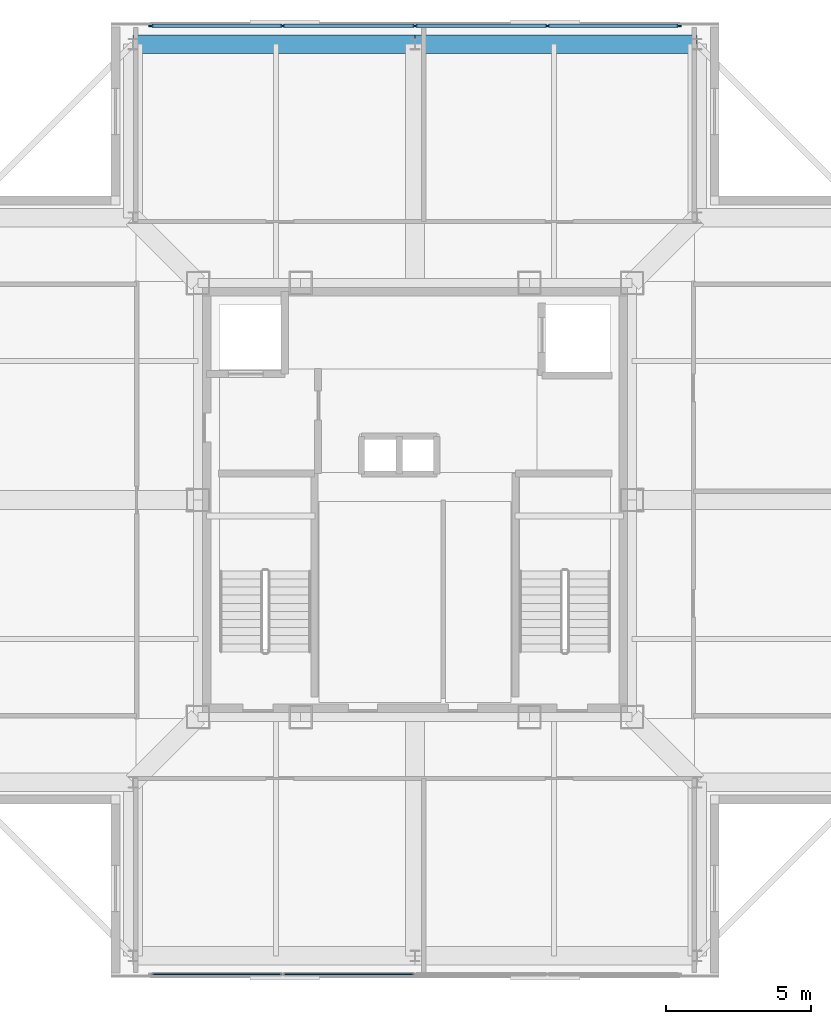
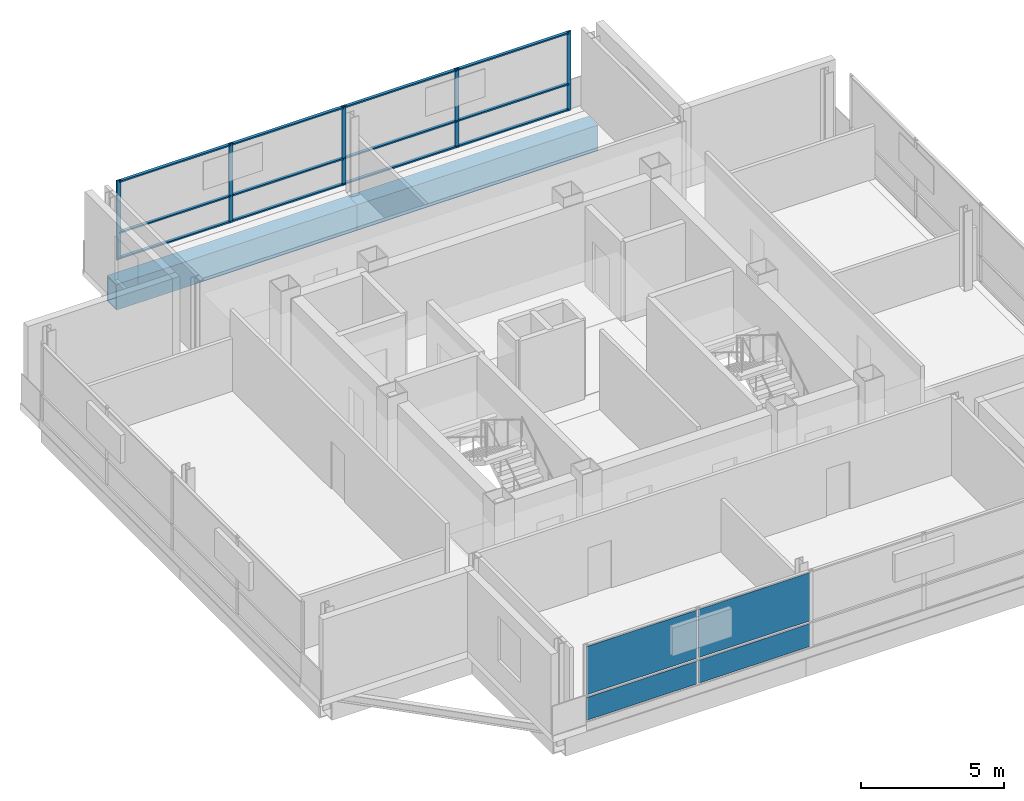
# One storey, part 6 of 11: 17 members, 4 plates, 2 beams, 2 elements without a shape of their own.
"""IFC4 building model written with IfcOpenShell, lengths in metres."""

from ifc_helpers import new_model, si_unit, direction, frame, origin, origin_2d, place, context, subcontext, project, spatial, rectangle, hollow_rectangle, extrude, material, layer, layer_set, material_profile, profile_set, type_object, element, aggregate, save


model = new_model("IFC4")

# Units and contexts
model_context = context("Model", 3, precision=1e-05, world=origin(), true_north=direction((0.0, 1.0)))
body_context = subcontext(model_context, "Body", "Model", "MODEL_VIEW")
ifc_project = project(units=[si_unit("LENGTHUNIT", "METRE"), si_unit("AREAUNIT", "SQUARE_METRE"), si_unit("VOLUMEUNIT", "CUBIC_METRE"), si_unit("PLANEANGLEUNIT", "RADIAN"), si_unit("MASSUNIT", "GRAM", prefix="KILO")], contexts=[model_context])

# Site, building, storey
site_placement = place(None, origin())
site = spatial("IfcSite", under=ifc_project, at=site_placement, CompositionType="ELEMENT")
building_placement = place(site_placement, origin())
building = spatial("IfcBuilding", under=site, at=building_placement, Name="Trevonay Congress Spire", CompositionType="ELEMENT")
storey_placement = place(building_placement, frame((0.0, 0.0, 312.199951171875)))
storey = spatial("IfcBuildingStorey", under=building, at=storey_placement, Name="L82", CompositionType="ELEMENT", Elevation=312.199951171875)

# Beams
ifc_material_1 = material(Name="Steel ASTM A572 Grade 50", Category="steel")
ifc_material_profile_1 = material_profile(ifc_material_1, hollow_rectangle(XDim=0.64990234375, YDim=1.10009765625, WallThickness=0.044921875, at=origin_2d()), Name="BOX 1100x650x45")
ifc_profile_set_1 = profile_set([ifc_material_profile_1], Name="Steel ASTM A572 Grade 50")
beam_type = type_object("IfcBeamType", Name="BM-RING-BOX1100", PredefinedType="BEAM", material=ifc_profile_set_1)
for number, where, z_axis, x_axis, name in (
    (1, (-9.75, 15.75, -0.829833984375), (1.0, 0.0, 0.0), (0.0, 1.0, 0.0), "L82 structural beam BM-L82-PN1"),
    (2, (0.0, 15.75, -0.829833984375), (1.0, 0.0, 0.0), (0.0, 1.0, 0.0), "L82 structural beam BM-L82-PN2"),
):
    element("IfcBeam", number, at=place(storey_placement, frame(where, z_axis=z_axis, x_axis=x_axis)), inside=storey, type_object=beam_type, Name=name, PredefinedType="BEAM", context=body_context, shape_type="SweptSolid", body=[
        extrude(hollow_rectangle(XDim=0.64990234375, YDim=1.10009765625, WallThickness=0.044921875, at=origin_2d()), origin(), (0.0, 0.0, 1.0), 9.75),
    ])

# Curtain wall, members
ifc_material_2 = material(Name="Pale Anodised Aluminium EN AW-6063-T6", Category="aluminium")
ifc_layer_1 = layer(ifc_material_2, 0.159912109375, Name="Pale Anodised Aluminium EN AW-6063-T6")
ifc_layer_set_1 = layer_set([ifc_layer_1], Name="Pale Anodised Aluminium EN AW-6063-T6")
curtain_wall_type = type_object("IfcCurtainWallType", Name="CW-SYS06-CROWN-PALE-METAL", PredefinedType="NOTDEFINED", material=ifc_layer_set_1)
curtain_wall_1_placement = place(storey_placement, origin())
curtain_wall_1 = element("IfcCurtainWall", 3, at=curtain_wall_1_placement, inside=storey, type_object=curtain_wall_type, Name="L82 N unitised curtain wall", PredefinedType="NOTDEFINED")
ifc_material_profile_2 = material_profile(ifc_material_2, rectangle(XDim=0.06005859375, YDim=0.159912109375, at=origin_2d()), Name="CW-MULLION-160-ALUMINIUM")
ifc_profile_set_2 = profile_set([ifc_material_profile_2], Name="Pale Anodised Aluminium EN AW-6063-T6")
member_type_1 = type_object("IfcMemberType", Name="CW-MULLION-160-ALUMINIUM", PredefinedType="MULLION", material=ifc_profile_set_2)
member_1_placement = place(storey_placement, frame((-9.1201171875, 16.3798828125, 0.0), z_axis=(0.0, 0.0, 1.0), x_axis=(0.0, 1.0, 0.0)))
member_1 = element("IfcMember", 4, at=member_1_placement, type_object=member_type_1, Name="CW06 mullion 1", PredefinedType="MULLION", context=body_context, shape_type="SweptSolid", body=[
    extrude(rectangle(XDim=0.06005859375, YDim=0.159912109375, at=origin_2d()), origin(), (0.0, 0.0, 1.0), 3.400146484375),
])
member_2_placement = place(storey_placement, frame((-4.574951171875, 16.3798828125, 0.0), z_axis=(0.0, 0.0, 1.0), x_axis=(0.0, 1.0, 0.0)))
member_2 = element("IfcMember", 5, at=member_2_placement, type_object=member_type_1, Name="CW06 mullion 2", PredefinedType="MULLION", context=body_context, shape_type="SweptSolid", body=[
    extrude(rectangle(XDim=0.06005859375, YDim=0.159912109375, at=origin_2d()), origin(), (0.0, 0.0, 1.0), 3.400146484375),
])
member_3_placement = place(storey_placement, frame((0.0, 16.3798828125, 0.0), z_axis=(0.0, 0.0, 1.0), x_axis=(0.0, 1.0, 0.0)))
member_3 = element("IfcMember", 6, at=member_3_placement, type_object=member_type_1, Name="CW06 mullion 3", PredefinedType="MULLION", context=body_context, shape_type="SweptSolid", body=[
    extrude(rectangle(XDim=0.06005859375, YDim=0.159912109375, at=origin_2d()), origin(), (0.0, 0.0, 1.0), 3.400146484375),
])
member_4_placement = place(storey_placement, frame((4.574951171875, 16.3798828125, 0.0), z_axis=(0.0, 0.0, 1.0), x_axis=(0.0, 1.0, 0.0)))
member_4 = element("IfcMember", 7, at=member_4_placement, type_object=member_type_1, Name="CW06 mullion 4", PredefinedType="MULLION", context=body_context, shape_type="SweptSolid", body=[
    extrude(rectangle(XDim=0.06005859375, YDim=0.159912109375, at=origin_2d()), origin(), (0.0, 0.0, 1.0), 3.400146484375),
])
member_5_placement = place(storey_placement, frame((9.1201171875, 16.3798828125, 0.0), z_axis=(0.0, 0.0, 1.0), x_axis=(0.0, 1.0, 0.0)))
member_5 = element("IfcMember", 8, at=member_5_placement, type_object=member_type_1, Name="CW06 mullion 5", PredefinedType="MULLION", context=body_context, shape_type="SweptSolid", body=[
    extrude(rectangle(XDim=0.06005859375, YDim=0.159912109375, at=origin_2d()), origin(), (0.0, 0.0, 1.0), 3.400146484375),
])
ifc_material_profile_3 = material_profile(ifc_material_2, rectangle(XDim=0.1201171875, YDim=0.06005859375, at=origin_2d()), Name="CW-TRANSOM-120-ALUMINIUM")
ifc_profile_set_3 = profile_set([ifc_material_profile_3], Name="Pale Anodised Aluminium EN AW-6063-T6")
member_type_2 = type_object("IfcMemberType", Name="CW-TRANSOM-120-ALUMINIUM", PredefinedType="USERDEFINED", material=ifc_profile_set_3)
member_6_placement = place(storey_placement, frame((-9.090087890625, 16.3798828125, 0.06005859375), z_axis=(1.0, 0.0, 0.0), x_axis=(0.0, 1.0, 0.0)))
member_6 = element("IfcMember", 9, at=member_6_placement, type_object=member_type_2, Name="CW06 transom 1.1", ObjectType="TRANSOM", PredefinedType="USERDEFINED", context=body_context, shape_type="SweptSolid", body=[
    extrude(rectangle(XDim=0.1201171875, YDim=0.06005859375, at=origin_2d()), origin(), (0.0, 0.0, 1.0), 4.485107421875),
])
member_7_placement = place(storey_placement, frame((-9.090087890625, 16.3798828125, 1.156005859375), z_axis=(1.0, 0.0, 0.0), x_axis=(0.0, 1.0, 0.0)))
member_7 = element("IfcMember", 10, at=member_7_placement, type_object=member_type_2, Name="CW06 transom 1.2", ObjectType="TRANSOM", PredefinedType="USERDEFINED", context=body_context, shape_type="SweptSolid", body=[
    extrude(rectangle(XDim=0.1201171875, YDim=0.06005859375, at=origin_2d()), origin(), (0.0, 0.0, 1.0), 4.485107421875),
])
member_8_placement = place(storey_placement, frame((-9.090087890625, 16.3798828125, 3.340087890625), z_axis=(1.0, 0.0, 0.0), x_axis=(0.0, 1.0, 0.0)))
member_8 = element("IfcMember", 11, at=member_8_placement, type_object=member_type_2, Name="CW06 transom 1.3", ObjectType="TRANSOM", PredefinedType="USERDEFINED", context=body_context, shape_type="SweptSolid", body=[
    extrude(rectangle(XDim=0.1201171875, YDim=0.06005859375, at=origin_2d()), origin(), (0.0, 0.0, 1.0), 4.485107421875),
])
member_9_placement = place(storey_placement, frame((-4.544921875, 16.3798828125, 0.06005859375), z_axis=(1.0, 0.0, 0.0), x_axis=(0.0, 1.0, 0.0)))
member_9 = element("IfcMember", 12, at=member_9_placement, type_object=member_type_2, Name="CW06 transom 2.1", ObjectType="TRANSOM", PredefinedType="USERDEFINED", context=body_context, shape_type="SweptSolid", body=[
    extrude(rectangle(XDim=0.1201171875, YDim=0.06005859375, at=origin_2d()), origin(), (0.0, 0.0, 1.0), 4.514892578125),
])
member_10_placement = place(storey_placement, frame((-4.544921875, 16.3798828125, 1.156005859375), z_axis=(1.0, 0.0, 0.0), x_axis=(0.0, 1.0, 0.0)))
member_10 = element("IfcMember", 13, at=member_10_placement, type_object=member_type_2, Name="CW06 transom 2.2", ObjectType="TRANSOM", PredefinedType="USERDEFINED", context=body_context, shape_type="SweptSolid", body=[
    extrude(rectangle(XDim=0.1201171875, YDim=0.06005859375, at=origin_2d()), origin(), (0.0, 0.0, 1.0), 4.514892578125),
])
member_11_placement = place(storey_placement, frame((-4.544921875, 16.3798828125, 3.340087890625), z_axis=(1.0, 0.0, 0.0), x_axis=(0.0, 1.0, 0.0)))
member_11 = element("IfcMember", 14, at=member_11_placement, type_object=member_type_2, Name="CW06 transom 2.3", ObjectType="TRANSOM", PredefinedType="USERDEFINED", context=body_context, shape_type="SweptSolid", body=[
    extrude(rectangle(XDim=0.1201171875, YDim=0.06005859375, at=origin_2d()), origin(), (0.0, 0.0, 1.0), 4.514892578125),
])
member_12_placement = place(storey_placement, frame((0.030029296875, 16.3798828125, 0.06005859375), z_axis=(1.0, 0.0, 0.0), x_axis=(0.0, 1.0, 0.0)))
member_12 = element("IfcMember", 15, at=member_12_placement, type_object=member_type_2, Name="CW06 transom 3.1", ObjectType="TRANSOM", PredefinedType="USERDEFINED", context=body_context, shape_type="SweptSolid", body=[
    extrude(rectangle(XDim=0.1201171875, YDim=0.06005859375, at=origin_2d()), origin(), (0.0, 0.0, 1.0), 4.514892578125),
])
member_13_placement = place(storey_placement, frame((0.030029296875, 16.3798828125, 1.156005859375), z_axis=(1.0, 0.0, 0.0), x_axis=(0.0, 1.0, 0.0)))
member_13 = element("IfcMember", 16, at=member_13_placement, type_object=member_type_2, Name="CW06 transom 3.2", ObjectType="TRANSOM", PredefinedType="USERDEFINED", context=body_context, shape_type="SweptSolid", body=[
    extrude(rectangle(XDim=0.1201171875, YDim=0.06005859375, at=origin_2d()), origin(), (0.0, 0.0, 1.0), 4.514892578125),
])
member_14_placement = place(storey_placement, frame((0.030029296875, 16.3798828125, 3.340087890625), z_axis=(1.0, 0.0, 0.0), x_axis=(0.0, 1.0, 0.0)))
member_14 = element("IfcMember", 17, at=member_14_placement, type_object=member_type_2, Name="CW06 transom 3.3", ObjectType="TRANSOM", PredefinedType="USERDEFINED", context=body_context, shape_type="SweptSolid", body=[
    extrude(rectangle(XDim=0.1201171875, YDim=0.06005859375, at=origin_2d()), origin(), (0.0, 0.0, 1.0), 4.514892578125),
])
member_15_placement = place(storey_placement, frame((4.60498046875, 16.3798828125, 0.06005859375), z_axis=(1.0, 0.0, 0.0), x_axis=(0.0, 1.0, 0.0)))
member_15 = element("IfcMember", 18, at=member_15_placement, type_object=member_type_2, Name="CW06 transom 4.1", ObjectType="TRANSOM", PredefinedType="USERDEFINED", context=body_context, shape_type="SweptSolid", body=[
    extrude(rectangle(XDim=0.1201171875, YDim=0.06005859375, at=origin_2d()), origin(), (0.0, 0.0, 1.0), 4.485107421875),
])
member_16_placement = place(storey_placement, frame((4.60498046875, 16.3798828125, 1.156005859375), z_axis=(1.0, 0.0, 0.0), x_axis=(0.0, 1.0, 0.0)))
member_16 = element("IfcMember", 19, at=member_16_placement, type_object=member_type_2, Name="CW06 transom 4.2", ObjectType="TRANSOM", PredefinedType="USERDEFINED", context=body_context, shape_type="SweptSolid", body=[
    extrude(rectangle(XDim=0.1201171875, YDim=0.06005859375, at=origin_2d()), origin(), (0.0, 0.0, 1.0), 4.485107421875),
])
member_17_placement = place(storey_placement, frame((4.60498046875, 16.3798828125, 3.340087890625), z_axis=(1.0, 0.0, 0.0), x_axis=(0.0, 1.0, 0.0)))
member_17 = element("IfcMember", 20, at=member_17_placement, type_object=member_type_2, Name="CW06 transom 4.3", ObjectType="TRANSOM", PredefinedType="USERDEFINED", context=body_context, shape_type="SweptSolid", body=[
    extrude(rectangle(XDim=0.1201171875, YDim=0.06005859375, at=origin_2d()), origin(), (0.0, 0.0, 1.0), 4.485107421875),
])
aggregate(curtain_wall_1, [member_1, member_2, member_3, member_4, member_5, member_6, member_7, member_8, member_9, member_10, member_11, member_12, member_13, member_14, member_15, member_16, member_17])

# Curtain wall, plates
curtain_wall_2_placement = place(storey_placement, origin())
curtain_wall_2 = element("IfcCurtainWall", 21, at=curtain_wall_2_placement, inside=storey, type_object=curtain_wall_type, Name="L82 S unitised curtain wall", PredefinedType="NOTDEFINED")
ifc_material_3 = material(Name="Insulated Low-E Vision Glass IGU", Category="glass")
ifc_layer_2 = layer(ifc_material_3, 0.035888671875, Name="Insulated Low-E Vision Glass IGU")
ifc_layer_set_2 = layer_set([ifc_layer_2], Name="Insulated Low-E Vision Glass IGU")
plate_type = type_object("IfcPlateType", Name="CW-PANEL-IGU36-SILVER", PredefinedType="CURTAIN_PANEL", material=ifc_layer_set_2)
plate_1_placement = place(storey_placement, frame((-6.847412109375, -16.3798828125, 0.1201171875), z_axis=(0.0, 0.0, 1.0), x_axis=(1.0, 0.0, 0.0)))
plate_1 = element("IfcPlate", 22, at=plate_1_placement, type_object=plate_type, Name="CW06 panel 1.1", PredefinedType="CURTAIN_PANEL", context=body_context, shape_type="SweptSolid", body=[
    extrude(rectangle(XDim=4.485107421875, YDim=0.035888671875, at=origin_2d()), origin(), (0.0, 0.0, 1.0), 0.97607421875),
])
plate_2_placement = place(storey_placement, frame((-6.847412109375, -16.3798828125, 1.216064453125), z_axis=(0.0, 0.0, 1.0), x_axis=(1.0, 0.0, 0.0)))
plate_2 = element("IfcPlate", 23, at=plate_2_placement, type_object=plate_type, Name="CW06 panel 1.2", PredefinedType="CURTAIN_PANEL", context=body_context, shape_type="SweptSolid", body=[
    extrude(rectangle(XDim=4.485107421875, YDim=0.035888671875, at=origin_2d()), origin(), (0.0, 0.0, 1.0), 2.06396484375),
])
plate_3_placement = place(storey_placement, frame((-2.28759765625, -16.3798828125, 0.1201171875), z_axis=(0.0, 0.0, 1.0), x_axis=(1.0, 0.0, 0.0)))
plate_3 = element("IfcPlate", 24, at=plate_3_placement, type_object=plate_type, Name="CW06 panel 2.1", PredefinedType="CURTAIN_PANEL", context=body_context, shape_type="SweptSolid", body=[
    extrude(rectangle(XDim=4.514892578125, YDim=0.035888671875, at=origin_2d()), origin(), (0.0, 0.0, 1.0), 0.97607421875),
])
plate_4_placement = place(storey_placement, frame((-2.28759765625, -16.3798828125, 1.216064453125), z_axis=(0.0, 0.0, 1.0), x_axis=(1.0, 0.0, 0.0)))
plate_4 = element("IfcPlate", 25, at=plate_4_placement, type_object=plate_type, Name="CW06 panel 2.2", PredefinedType="CURTAIN_PANEL", context=body_context, shape_type="SweptSolid", body=[
    extrude(rectangle(XDim=4.514892578125, YDim=0.035888671875, at=origin_2d()), origin(), (0.0, 0.0, 1.0), 2.06396484375),
])
aggregate(curtain_wall_2, [plate_1, plate_2, plate_3, plate_4])

save(model, "model.ifc")
